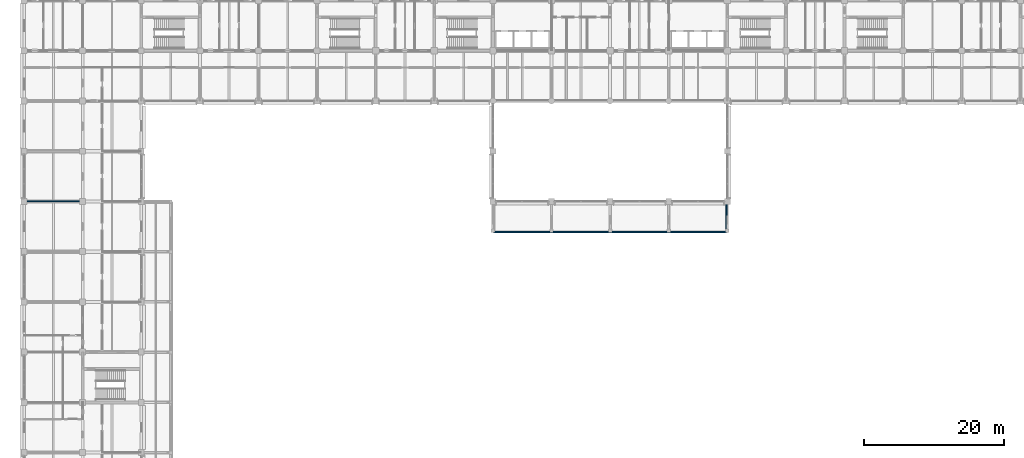
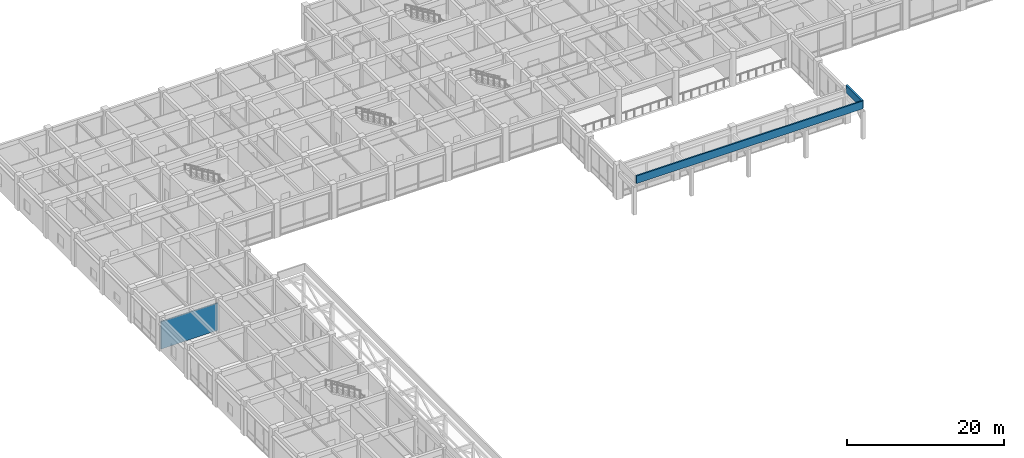
# One storey, part 39 of 68: 3 walls.
"""IFC4 building model written with IfcOpenShell, lengths in metres."""

import ifcopenshell
import ifcopenshell.guid

model = None  # the IFC model being written
_history = None  # IfcOwnerHistory: only IFC2X3 demands one
_inside = {}  # id of a spatial element -> (the spatial element, [elements in it])
_under = {}  # id of a project, library or spatial element -> (it, [spatial elements below it])
_declared = {}  # id of a project -> (the project, [libraries it declares])
_typed = {}  # id of a type object -> (the type object, [elements of that type])
_made_of = {}  # id of a material, layer set ... -> (it, [elements and type objects made of it])


def new_model(schema):
    """Start an empty IFC model of exactly this schema.

    Asked for "IFC4X3", IfcOpenShell would pick the latest addendum, in which some entities
    have other attributes; the version numbers below select the first issue.
    IFC2X3 requires an IfcOwnerHistory on every rooted entity: one is made here for all.
    """
    global model, _history
    if schema == "IFC4X3":
        model = ifcopenshell.file(schema_version=(4, 3, 0, 0))
    else:
        model = ifcopenshell.file(schema=schema)
    _inside.clear()
    _under.clear()
    _declared.clear()
    _typed.clear()
    _made_of.clear()
    _history = None
    if model.schema == "IFC2X3":
        org = make("IfcOrganization", Name="unknown")
        user = make(
            "IfcPersonAndOrganization",
            ThePerson=make("IfcPerson", FamilyName="unknown"),
            TheOrganization=org,
        )
        app = make(
            "IfcApplication",
            ApplicationDeveloper=org,
            Version="unknown",
            ApplicationFullName="unknown",
            ApplicationIdentifier="unknown",
        )
        _history = make(
            "IfcOwnerHistory",
            OwningUser=user,
            OwningApplication=app,
            ChangeAction="ADDED",
            CreationDate=0,
        )
    return model


def make(cls, **values):
    """One entity of the class cls with the attributes given. An attribute that is None is left unset."""
    return model.create_entity(
        cls, **{name: value for name, value in values.items() if value is not None}
    )


def rooted(cls, **values):
    """An entity with a GlobalId (a new one), such as an element, a storey or a relation."""
    return make(cls, GlobalId=ifcopenshell.guid.new(), OwnerHistory=_history, **values)


def si_unit(unit_type, name, prefix=None):
    """IfcSIUnit, for example si_unit("LENGTHUNIT", "METRE", prefix="MILLI")."""
    return make("IfcSIUnit", UnitType=unit_type, Prefix=prefix, Name=name)


def assignment(units):
    """IfcUnitAssignment: the units of a project."""
    return None if units is None else make("IfcUnitAssignment", Units=units)


def point(xyz):
    """IfcCartesianPoint."""
    return None if xyz is None else make("IfcCartesianPoint", Coordinates=xyz)


def direction(xyz):
    """IfcDirection."""
    return None if xyz is None else make("IfcDirection", DirectionRatios=xyz)


def frame(location, z_axis=None, x_axis=None):
    """IfcAxis2Placement3D, a coordinate frame: its origin and axes. An axis left out is left unset."""
    return make(
        "IfcAxis2Placement3D",
        Location=point(location),
        Axis=direction(z_axis),
        RefDirection=direction(x_axis),
    )


def frame_2d(location, x_axis=None):
    """IfcAxis2Placement2D, a coordinate frame in the plane: its origin and x axis."""
    return make(
        "IfcAxis2Placement2D", Location=point(location), RefDirection=direction(x_axis)
    )


def origin():
    """The frame at (0, 0, 0) with its axes left unset."""
    return frame((0.0, 0.0, 0.0))


def place(relative_to, where):
    """IfcLocalPlacement: puts the frame where relative to a parent placement (None: the world)."""
    return make(
        "IfcLocalPlacement", PlacementRelTo=relative_to, RelativePlacement=where
    )


def context(
    kind, dimensions, precision=None, world=None, true_north=None, identifier=None
):
    """IfcGeometricRepresentationContext, for example the 3D "Model" context."""
    return make(
        "IfcGeometricRepresentationContext",
        ContextIdentifier=identifier,
        ContextType=kind,
        CoordinateSpaceDimension=dimensions,
        Precision=precision,
        WorldCoordinateSystem=world,
        TrueNorth=true_north,
    )


def subcontext(parent, identifier, kind, view, scale=None):
    """IfcGeometricRepresentationSubContext, for example "Body" below "Model"."""
    return make(
        "IfcGeometricRepresentationSubContext",
        ContextIdentifier=identifier,
        ContextType=kind,
        ParentContext=parent,
        TargetScale=scale,
        TargetView=view,
    )


def project(units=None, contexts=None):
    """IfcProject with its units and contexts."""
    return rooted(
        "IfcProject",
        Name="project",
        RepresentationContexts=contexts,
        UnitsInContext=assignment(units),
    )


def spatial(cls, under=None, at=None, **own):
    """A site, building, storey or space (cls), placed at a placement, below another one or the project."""
    s = rooted(cls, ObjectPlacement=at, **own)
    if under is not None:
        _under.setdefault(under.id(), (under, []))[1].append(s)
    return s


def profile(cls, at=None, kind="AREA", **sizes):
    """A parametric profile (cls). Its sizes go by their IFC names, for example OverallWidth=200.0."""
    return make(cls, ProfileType=kind, Position=at, **sizes)


def rectangle(**sizes):
    """IfcRectangleProfileDef."""
    return profile("IfcRectangleProfileDef", **sizes)


def extrude(swept, where, along, depth):
    """IfcExtrudedAreaSolid: the profile swept, set in the frame where, extruded along a direction by depth."""
    return make(
        "IfcExtrudedAreaSolid",
        SweptArea=swept,
        Position=where,
        ExtrudedDirection=direction(along),
        Depth=depth,
    )


def shape(context_of_items, identifier, shape_type, items):
    """IfcShapeRepresentation: the items that make up one representation, for example the "Body"."""
    return make(
        "IfcShapeRepresentation",
        ContextOfItems=context_of_items,
        RepresentationIdentifier=identifier,
        RepresentationType=shape_type,
        Items=items,
    )


def material(Name=None, Category=None):
    """IfcMaterial."""
    return make("IfcMaterial", Name=Name, Category=Category)


def layer(
    of_material, thickness, ventilated=None, Name=None, Category=None, Priority=None
):
    """IfcMaterialLayer: one layer of a wall or slab, of a material (None: an air gap)."""
    return make(
        "IfcMaterialLayer",
        Material=of_material,
        LayerThickness=thickness,
        IsVentilated=ventilated,
        Name=Name,
        Category=Category,
        Priority=Priority,
    )


def layer_set(layers, Name=None):
    """IfcMaterialLayerSet."""
    return make("IfcMaterialLayerSet", MaterialLayers=layers, LayerSetName=Name)


def made_of(thing, what):
    """Note that an element or type object is made of a material, layer set ...; save() writes the relation."""
    if what is not None:
        _made_of.setdefault(what.id(), (what, []))[1].append(thing)
    return thing


def type_object(cls, material=None, **own):
    """A type object (cls), such as IfcWallType, which elements share."""
    return made_of(rooted(cls, **own), material)


def element(
    cls,
    number,
    at=None,
    inside=None,
    cuts=None,
    type_object=None,
    material=None,
    context=None,
    identifier="Body",
    shape_type=None,
    held_by="IfcProductDefinitionShape",
    body=None,
    shapes=None,
    **own,
):
    """One element of the class cls, such as IfcWall. Its Tag is "e" and its number.

    at: its placement. inside: the storey or other place that contains it. cuts: it is an
    opening in that element (IfcRelVoidsElement). A single representation is given by context,
    identifier, shape_type and body (its items); several are given by shapes. held_by: the class
    of the entity that holds the representations. save() writes the other relations.
    """
    e = rooted(cls, Tag="e%d" % number, ObjectPlacement=at, **own)
    if body is not None:
        shapes = [shape(context, identifier, shape_type, body)]
    if shapes is not None:
        e.Representation = make(held_by, Representations=shapes)
    if inside is not None:
        _inside.setdefault(inside.id(), (inside, []))[1].append(e)
    if cuts is not None:
        rooted(
            "IfcRelVoidsElement", RelatingBuildingElement=cuts, RelatedOpeningElement=e
        )
    if type_object is not None:
        _typed.setdefault(type_object.id(), (type_object, []))[1].append(e)
    return made_of(e, material)


def aggregate(whole, parts):
    """IfcRelAggregates: a whole, such as a stair, and the parts it consists of."""
    return rooted("IfcRelAggregates", RelatingObject=whole, RelatedObjects=parts)


def save(model, path):
    """Write the relations noted so far, then the file.

    IfcRelAggregates (storeys below a building ...), IfcRelContainedInSpatialStructure (elements
    in a storey), IfcRelDefinesByType, IfcRelAssociatesMaterial and IfcRelDeclares: one each for
    every whole, place, type object, material and project.
    """
    for whole, parts in _under.values():
        aggregate(whole, parts)
    for where, things in _inside.values():
        rooted(
            "IfcRelContainedInSpatialStructure",
            RelatedElements=things,
            RelatingStructure=where,
        )
    for kind, things in _typed.values():
        rooted("IfcRelDefinesByType", RelatedObjects=things, RelatingType=kind)
    for what, things in _made_of.values():
        rooted("IfcRelAssociatesMaterial", RelatedObjects=things, RelatingMaterial=what)
    for by, libraries in _declared.values():
        rooted("IfcRelDeclares", RelatingContext=by, RelatedDefinitions=libraries)
    model.write(path)


model = new_model("IFC4")

# Units and contexts
model_context = context("Model", 3, precision=1e-05, world=origin(), true_north=direction((0.0, 1.0)))
body_context = subcontext(model_context, "Body", "Model", "MODEL_VIEW")
ifc_project = project(units=[si_unit("LENGTHUNIT", "METRE"), si_unit("AREAUNIT", "SQUARE_METRE"), si_unit("VOLUMEUNIT", "CUBIC_METRE"), si_unit("PLANEANGLEUNIT", "RADIAN"), si_unit("MASSUNIT", "GRAM", prefix="KILO")], contexts=[model_context])

# Site, building, storey
site_placement = place(None, origin())
site = spatial("IfcSite", under=ifc_project, at=site_placement, CompositionType="ELEMENT")
building_placement = place(site_placement, origin())
building = spatial("IfcBuilding", under=site, at=building_placement, Name="Chengyuan Square Courthouse", CompositionType="ELEMENT")
storey_placement = place(building_placement, frame((0.0, 0.0, 5.39990234375)))
storey = spatial("IfcBuildingStorey", under=building, at=storey_placement, Name="L02", CompositionType="ELEMENT", Elevation=5.39990234375)

# Walls
ifc_material_1 = material(Name="Concrete C40", Category="concrete")
ifc_layer_1 = layer(ifc_material_1, 0.219970703125)
ifc_layer_set_1 = layer_set([ifc_layer_1], Name="Concrete C40")
wall_type_1 = type_object("IfcWallType", Name="WL-PR1", PredefinedType="PARAPET", material=ifc_layer_set_1)
wall_1_placement = place(storey_placement, frame((67.340087890625, 60.43994140625, 4.800048828125), z_axis=(0.0, 0.0, 1.0), x_axis=(1.0, 0.0, 0.0)))
element("IfcWall", 1, at=wall_1_placement, inside=storey, type_object=wall_type_1, Name="Roof Parapet Wall PAR-L02-009", PredefinedType="PARAPET", context=body_context, shape_type="SweptSolid", body=[
    extrude(rectangle(XDim=33.31982421875, YDim=0.219970703125, at=frame_2d((16.659912109375, 0.0))), origin(), (0.0, 0.0, 1.0), 1.199951171875),
])
ifc_layer_2 = layer(ifc_material_1, 0.239990234375)
ifc_layer_set_2 = layer_set([ifc_layer_2], Name="Concrete C40")
wall_type_2 = type_object("IfcWallType", Name="WL-PR2", PredefinedType="PARAPET", material=ifc_layer_set_2)
wall_2_placement = place(storey_placement, frame((100.659912109375, 60.43994140625, 4.800048828125), z_axis=(0.0, 0.0, 1.0), x_axis=(0.0, 1.0, 0.0)))
element("IfcWall", 2, at=wall_2_placement, inside=storey, type_object=wall_type_2, Name="Roof Parapet Wall PAR-L02-010", PredefinedType="PARAPET", context=body_context, shape_type="SweptSolid", body=[
    extrude(rectangle(XDim=4.06005859375, YDim=0.239990234375, at=frame_2d((2.030029296875, 0.0))), origin(), (0.0, 0.0, 1.0), 1.199951171875),
])
ifc_material_2 = material(Name="Deliberation Room Sound-Insulated Partition")
ifc_layer_3 = layer(ifc_material_2, 0.14990234375)
ifc_layer_set_3 = layer_set([ifc_layer_3], Name="Deliberation Room Sound-Insulated Partition")
wall_type_3 = type_object("IfcWallType", Name="WL-PT3", PredefinedType="STANDARD", material=ifc_layer_set_3)
wall_3_placement = place(storey_placement, frame((0.0400390625, 64.800048828125, 0.0), z_axis=(0.0, 0.0, 1.0), x_axis=(1.0, 0.0, 0.0)))
element("IfcWall", 3, at=wall_3_placement, inside=storey, type_object=wall_type_3, Name="Interior Wall WL-L02-I1050", PredefinedType="STANDARD", context=body_context, shape_type="SweptSolid", body=[
    extrude(rectangle(XDim=8.35986328125, YDim=0.14990234375, at=frame_2d((4.179931640625, 0.0))), origin(), (0.0, 0.0, 1.0), 4.27001953125),
])

save(model, "model.ifc")
